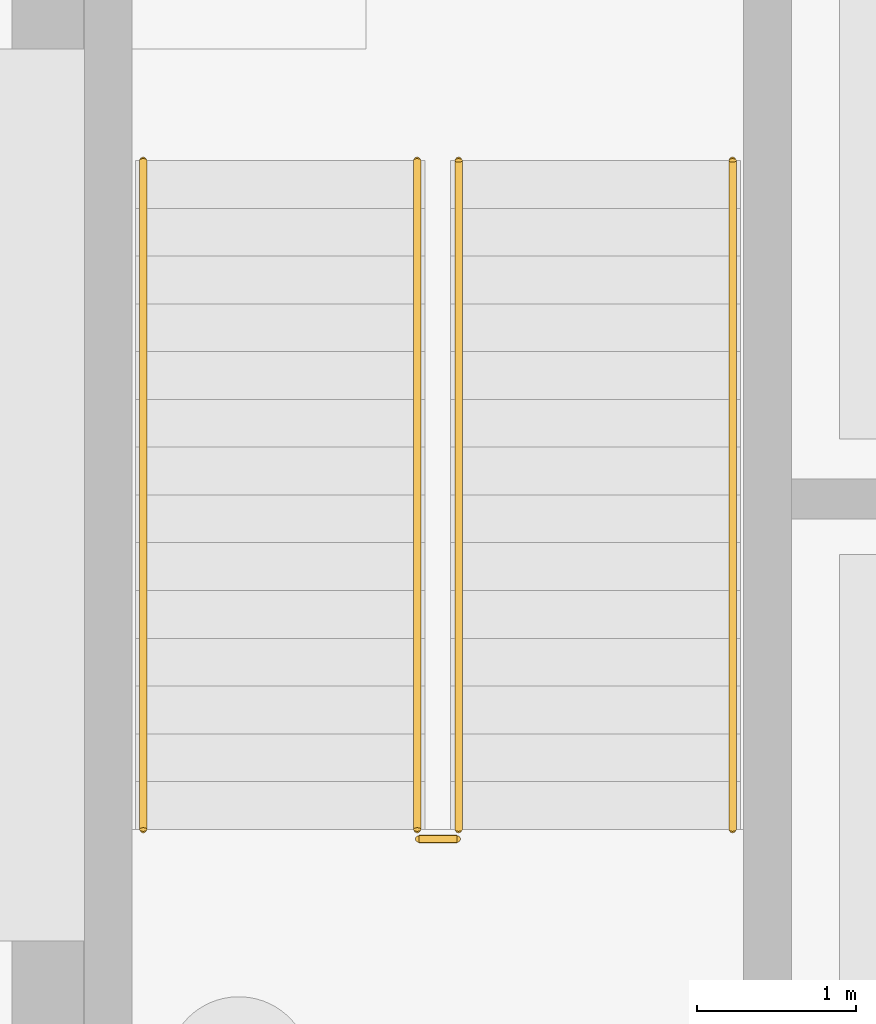
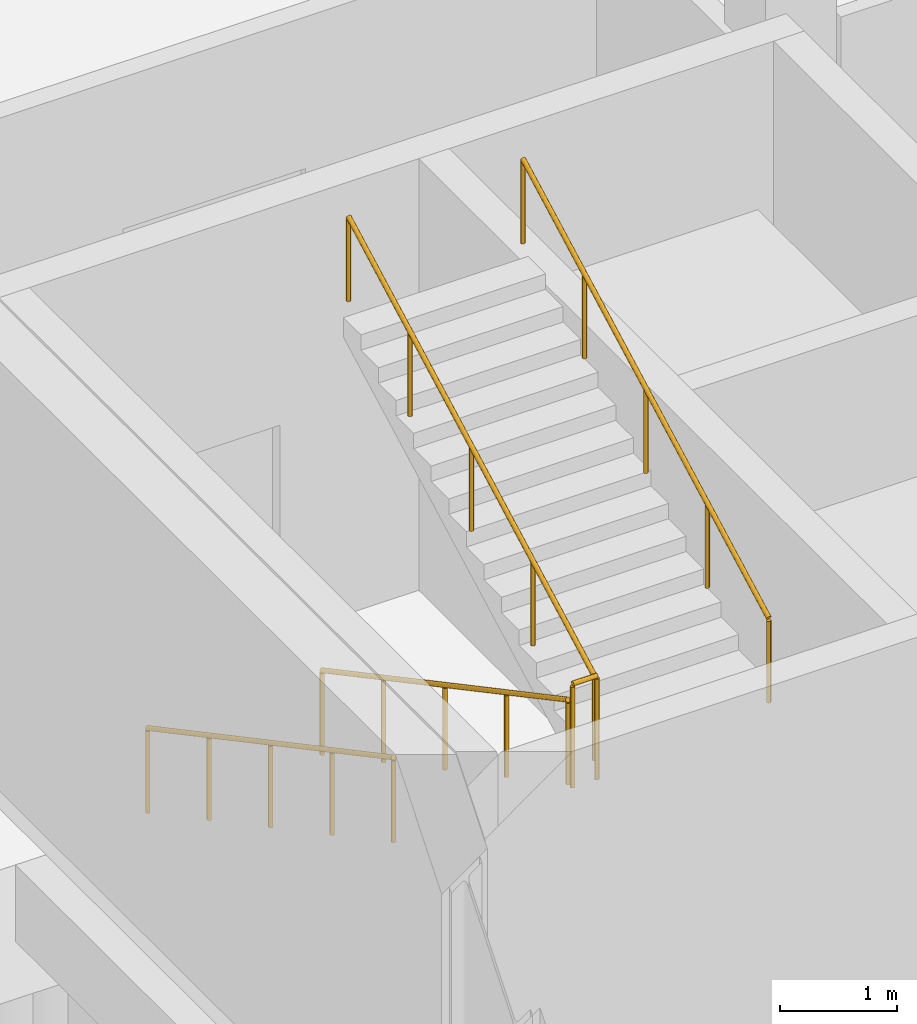
# One storey, part 28 of 29: 5 railings.
"""IFC4 building model written with IfcOpenShell, lengths in metres."""

from ifc_helpers import new_model, si_unit, direction, frame, origin, origin_2d, place, context, subcontext, project, spatial, circle, extrude, material, type_object, element, save


model = new_model("IFC4")

# Units and contexts
model_context = context("Model", 3, precision=1e-05, world=origin(), true_north=direction((0.0, 1.0)))
body_context = subcontext(model_context, "Body", "Model", "MODEL_VIEW")
ifc_project = project(units=[si_unit("LENGTHUNIT", "METRE"), si_unit("AREAUNIT", "SQUARE_METRE"), si_unit("VOLUMEUNIT", "CUBIC_METRE"), si_unit("PLANEANGLEUNIT", "RADIAN"), si_unit("MASSUNIT", "GRAM", prefix="KILO")], contexts=[model_context])

# Site, building, storey
site_placement = place(None, origin())
site = spatial("IfcSite", under=ifc_project, at=site_placement, CompositionType="ELEMENT")
building_placement = place(site_placement, origin())
building = spatial("IfcBuilding", under=site, at=building_placement, Name="Veltarok Museum of Natural Sciences", CompositionType="ELEMENT")
storey_placement = place(building_placement, frame((0.0, 0.0, -4.800048828125)))
storey = spatial("IfcBuildingStorey", under=building, at=storey_placement, Name="B1", CompositionType="ELEMENT", Elevation=-4.800048828125)

# Railings
ifc_material = material(Name="Steel S355J2", Category="steel")
railing_type_1 = type_object("IfcRailingType", Name="Interior Atrium and Stairwell Guardrail 1100", PredefinedType="GUARDRAIL", material=ifc_material)
railing_placement = place(storey_placement, frame((134.72998046875, 29.0400390625, 2.400146484375)))
element("IfcRailing", 1, at=railing_placement, inside=storey, type_object=railing_type_1, Name="Landing Well Guard ST-05-B1-L1", PredefinedType="GUARDRAIL", context=body_context, shape_type="SweptSolid", body=[
    extrude(circle(Radius=0.02392578125, at=origin_2d()), frame((0.0, 0.0, 1.076171875), z_axis=(1.0, 0.0, 0.0), x_axis=(0.0, 1.0, 0.0)), (0.0, 0.0, 1.0), 0.239990234375),
    extrude(circle(Radius=0.02099609375, at=origin_2d()), origin(), (0.0, 0.0, 1.0), 1.052001953125),
    extrude(circle(Radius=0.02099609375, at=origin_2d()), frame((0.239990234375, 0.0, 0.0)), (0.0, 0.0, 1.0), 1.052001953125),
])
railing_type_2 = type_object("IfcRailingType", Name="Stair Flight Tubular Steel Handrail 900", PredefinedType="HANDRAIL", material=ifc_material)
for number, where, name in (
    (2, (133.0, 33.300048828125, 0.16015625), "Stair Handrail ST-05-B1-F1L"),
    (3, (134.719970703125, 33.300048828125, 0.16015625), "Stair Handrail ST-05-B1-F1R"),
):
    element("IfcRailing", number, at=place(storey_placement, frame(where)), inside=storey, type_object=railing_type_2, Name=name, PredefinedType="HANDRAIL", context=body_context, shape_type="SweptSolid", body=[
        extrude(circle(Radius=0.02392578125, at=origin_2d()), frame((0.0, 0.0, 0.8759765625), z_axis=(0.0, -0.882351521365, 0.470590897432), x_axis=(1.0, 0.0, 0.0)), (0.0, 0.0, 1.0), 4.760009765625),
        extrude(circle(Radius=0.02099609375, at=origin_2d()), origin(), (0.0, 0.0, 1.0), 0.851806640625),
        extrude(circle(Radius=0.02099609375, at=origin_2d()), frame((0.0, -1.050048828125, 0.56005859375)), (0.0, 0.0, 1.0), 0.851806640625),
        extrude(circle(Radius=0.02099609375, at=origin_2d()), frame((0.0, -2.10009765625, 1.1201171875)), (0.0, 0.0, 1.0), 0.851806640625),
        extrude(circle(Radius=0.02099609375, at=origin_2d()), frame((0.0, -3.14990234375, 1.679931640625)), (0.0, 0.0, 1.0), 0.851806640625),
        extrude(circle(Radius=0.02099609375, at=origin_2d()), frame((0.0, -4.199951171875, 2.239990234375)), (0.0, 0.0, 1.0), 0.851806640625),
    ])
for number, where, name in (
    (4, (134.97998046875, 29.10009765625, 2.56005859375), "Stair Handrail ST-05-B1-F2L"),
    (5, (136.699951171875, 29.10009765625, 2.56005859375), "Stair Handrail ST-05-B1-F2R"),
):
    element("IfcRailing", number, at=place(storey_placement, frame(where)), inside=storey, type_object=railing_type_2, Name=name, PredefinedType="HANDRAIL", context=body_context, shape_type="SweptSolid", body=[
        extrude(circle(Radius=0.02392578125, at=origin_2d()), frame((0.0, 0.0, 0.8759765625), z_axis=(0.0, 0.882351521365, 0.470590897432), x_axis=(-1.0, 0.0, 0.0)), (0.0, 0.0, 1.0), 4.760009765625),
        extrude(circle(Radius=0.02099609375, at=origin_2d()), origin(), (0.0, 0.0, 1.0), 0.851806640625),
        extrude(circle(Radius=0.02099609375, at=origin_2d()), frame((0.0, 1.050048828125, 0.56005859375)), (0.0, 0.0, 1.0), 0.851806640625),
        extrude(circle(Radius=0.02099609375, at=origin_2d()), frame((0.0, 2.10009765625, 1.1201171875)), (0.0, 0.0, 1.0), 0.851806640625),
        extrude(circle(Radius=0.02099609375, at=origin_2d()), frame((0.0, 3.14990234375, 1.679931640625)), (0.0, 0.0, 1.0), 0.851806640625),
        extrude(circle(Radius=0.02099609375, at=origin_2d()), frame((0.0, 4.199951171875, 2.239990234375)), (0.0, 0.0, 1.0), 0.851806640625),
    ])

save(model, "model.ifc")
